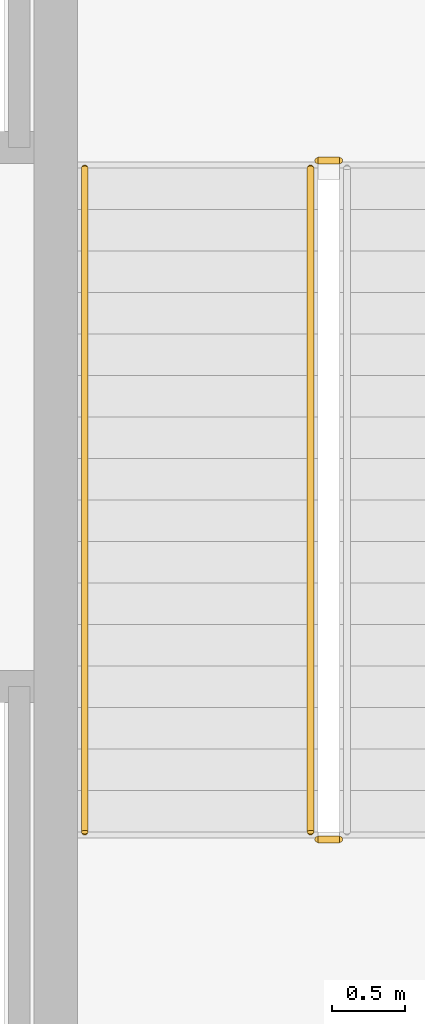
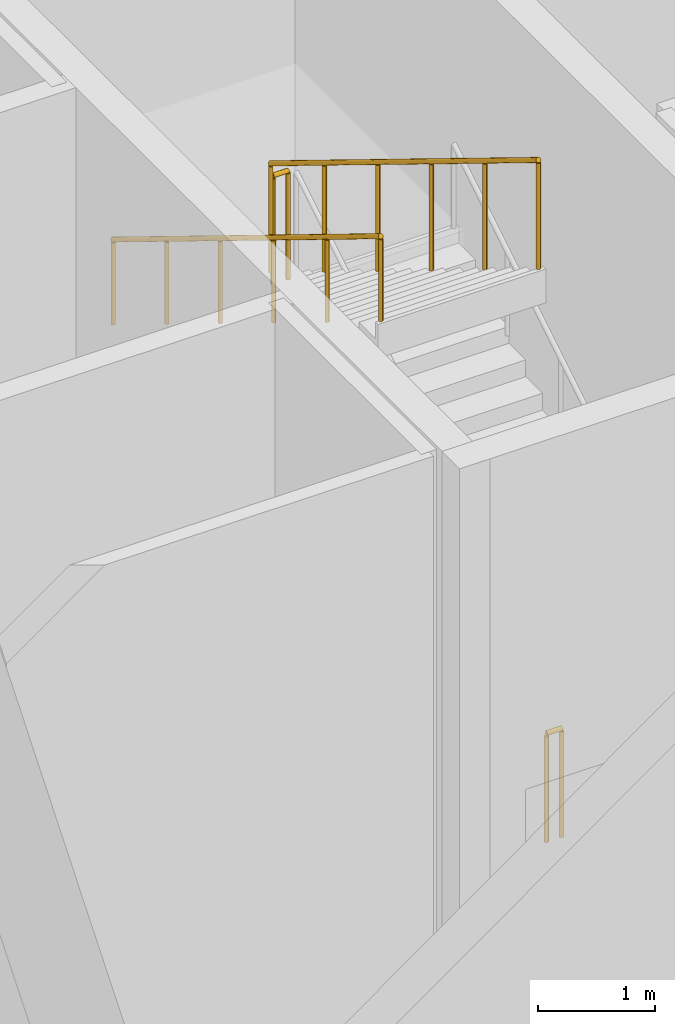
# One storey, part 19 of 21: 4 railings.
"""IFC4 building model written with IfcOpenShell, lengths in metres."""

from ifc_helpers import new_model, si_unit, direction, frame, origin, origin_2d, place, context, subcontext, project, spatial, circle, extrude, material, type_object, element, save


model = new_model("IFC4")

# Units and contexts
model_context = context("Model", 3, precision=1e-05, world=origin(), true_north=direction((0.0, 1.0)))
body_context = subcontext(model_context, "Body", "Model", "MODEL_VIEW")
ifc_project = project(units=[si_unit("LENGTHUNIT", "METRE"), si_unit("AREAUNIT", "SQUARE_METRE"), si_unit("VOLUMEUNIT", "CUBIC_METRE"), si_unit("PLANEANGLEUNIT", "RADIAN"), si_unit("MASSUNIT", "GRAM", prefix="KILO")], contexts=[model_context])

# Site, building, storey
site_placement = place(None, origin())
site = spatial("IfcSite", under=ifc_project, at=site_placement, CompositionType="ELEMENT")
building_placement = place(site_placement, origin())
building = spatial("IfcBuilding", under=site, at=building_placement, Name="Nhamokura Convention Tower", CompositionType="ELEMENT")
storey_placement = place(building_placement, frame((0.0, 0.0, 17.85009765625)))
storey = spatial("IfcBuildingStorey", under=building, at=storey_placement, Name="L03", CompositionType="ELEMENT", Elevation=17.85009765625)

# Railings
ifc_material_1 = material(Name="Anodised bronze stainless steel", Category="steel")
railing_type_1 = type_object("IfcRailingType", Name="StairWallHandrail_900", PredefinedType="HANDRAIL", material=ifc_material_1)
railing_1_placement = place(storey_placement, frame((30.300048828125, 39.7099609375, 3.14990234375)))
element("IfcRailing", 1, at=railing_1_placement, inside=storey, type_object=railing_type_1, Name="L03 ST-03 stair handrail 2", PredefinedType="HANDRAIL", context=body_context, shape_type="SweptSolid", body=[
    extrude(circle(Radius=0.02392578125, at=origin_2d()), frame((0.0, 0.0, 0.8759765625), z_axis=(0.0, -0.852170154964, 0.523264777133), x_axis=(1.0, 0.0, 0.0)), (0.0, 0.0, 1.0), 5.35107421875),
    extrude(circle(Radius=0.02099609375, at=origin_2d()), origin(), (0.0, 0.0, 1.0), 0.851806640625),
    extrude(circle(Radius=0.02099609375, at=origin_2d()), frame((0.0, -0.912109375, 0.56005859375)), (0.0, 0.0, 1.0), 0.851806640625),
    extrude(circle(Radius=0.02099609375, at=origin_2d()), frame((0.0, -1.823974609375, 1.1201171875)), (0.0, 0.0, 1.0), 0.851806640625),
    extrude(circle(Radius=0.02099609375, at=origin_2d()), frame((0.0, -2.736083984375, 1.679931640625)), (0.0, 0.0, 1.0), 0.851806640625),
    extrude(circle(Radius=0.02099609375, at=origin_2d()), frame((0.0, -3.64794921875, 2.239990234375)), (0.0, 0.0, 1.0), 0.851806640625),
    extrude(circle(Radius=0.02099609375, at=origin_2d()), frame((0.0, -4.56005859375, 2.800048828125)), (0.0, 0.0, 1.0), 0.851806640625),
])
ifc_material_2 = material(Name="Painted tubular steel", Category="steel")
railing_type_2 = type_object("IfcRailingType", Name="StairWellGuardrail_1150", PredefinedType="GUARDRAIL", material=ifc_material_2)
railing_2_placement = place(storey_placement, frame((32.050048828125, 39.760009765625, 2.974853515625)))
element("IfcRailing", 2, at=railing_2_placement, inside=storey, type_object=railing_type_2, Name="L03 ST-03 stair guard 2", PredefinedType="GUARDRAIL", context=body_context, shape_type="SweptSolid", body=[
    extrude(circle(Radius=0.02392578125, at=origin_2d()), frame((0.0, 0.0, 1.1259765625), z_axis=(-1.0, 0.0, 0.0), x_axis=(0.0, -1.0, 0.0)), (0.0, 0.0, 1.0), 0.150146484375),
    extrude(circle(Radius=0.02099609375, at=origin_2d()), origin(), (0.0, 0.0, 1.0), 1.101806640625),
    extrude(circle(Radius=0.02099609375, at=origin_2d()), frame((-0.150146484375, 0.0, 0.0)), (0.0, 0.0, 1.0), 1.101806640625),
])
railing_3_placement = place(storey_placement, frame((31.85009765625, 39.7099609375, 3.14990234375)))
element("IfcRailing", 3, at=railing_3_placement, inside=storey, type_object=railing_type_2, Name="L03 ST-03 stair guard 3", PredefinedType="GUARDRAIL", context=body_context, shape_type="SweptSolid", body=[
    extrude(circle(Radius=0.02392578125, at=origin_2d()), frame((0.0, 0.0, 1.1259765625), z_axis=(0.0, -0.852170154964, 0.523264777133), x_axis=(1.0, 0.0, 0.0)), (0.0, 0.0, 1.0), 5.35107421875),
    extrude(circle(Radius=0.02099609375, at=origin_2d()), origin(), (0.0, 0.0, 1.0), 1.101806640625),
    extrude(circle(Radius=0.02099609375, at=origin_2d()), frame((0.0, -0.912109375, 0.56005859375)), (0.0, 0.0, 1.0), 1.101806640625),
    extrude(circle(Radius=0.02099609375, at=origin_2d()), frame((0.0, -1.823974609375, 1.1201171875)), (0.0, 0.0, 1.0), 1.101806640625),
    extrude(circle(Radius=0.02099609375, at=origin_2d()), frame((0.0, -2.736083984375, 1.679931640625)), (0.0, 0.0, 1.0), 1.101806640625),
    extrude(circle(Radius=0.02099609375, at=origin_2d()), frame((0.0, -3.64794921875, 2.239990234375)), (0.0, 0.0, 1.0), 1.101806640625),
    extrude(circle(Radius=0.02099609375, at=origin_2d()), frame((0.0, -4.56005859375, 2.800048828125)), (0.0, 0.0, 1.0), 1.101806640625),
])
railing_4_placement = place(storey_placement, frame((32.050048828125, 35.10009765625, 0.0)))
element("IfcRailing", 4, at=railing_4_placement, inside=storey, type_object=railing_type_2, Name="L03 ST-03 stair guard 4", PredefinedType="GUARDRAIL", context=body_context, shape_type="SweptSolid", body=[
    extrude(circle(Radius=0.02392578125, at=origin_2d()), frame((0.0, 0.0, 1.1259765625), z_axis=(-1.0, 0.0, 0.0), x_axis=(0.0, -1.0, 0.0)), (0.0, 0.0, 1.0), 0.150146484375),
    extrude(circle(Radius=0.02099609375, at=origin_2d()), origin(), (0.0, 0.0, 1.0), 1.101806640625),
    extrude(circle(Radius=0.02099609375, at=origin_2d()), frame((-0.150146484375, 0.0, 0.0)), (0.0, 0.0, 1.0), 1.101806640625),
])

save(model, "model.ifc")
